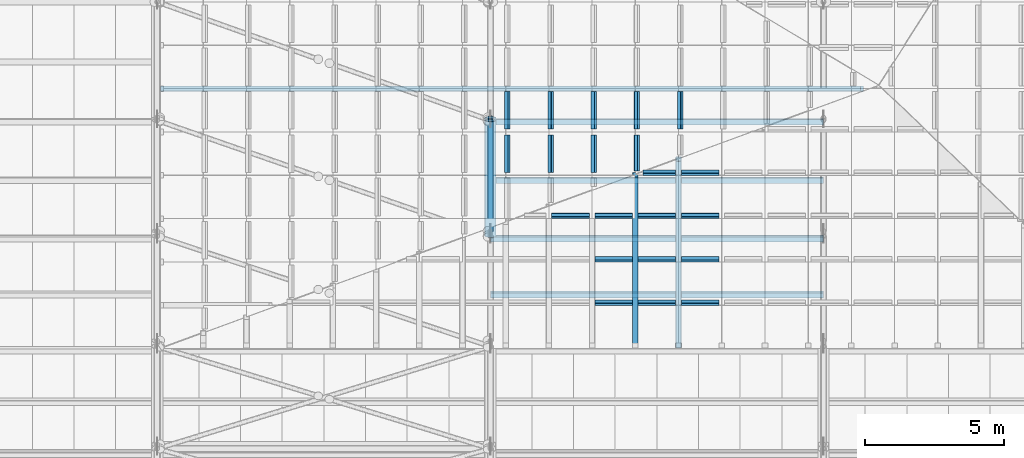
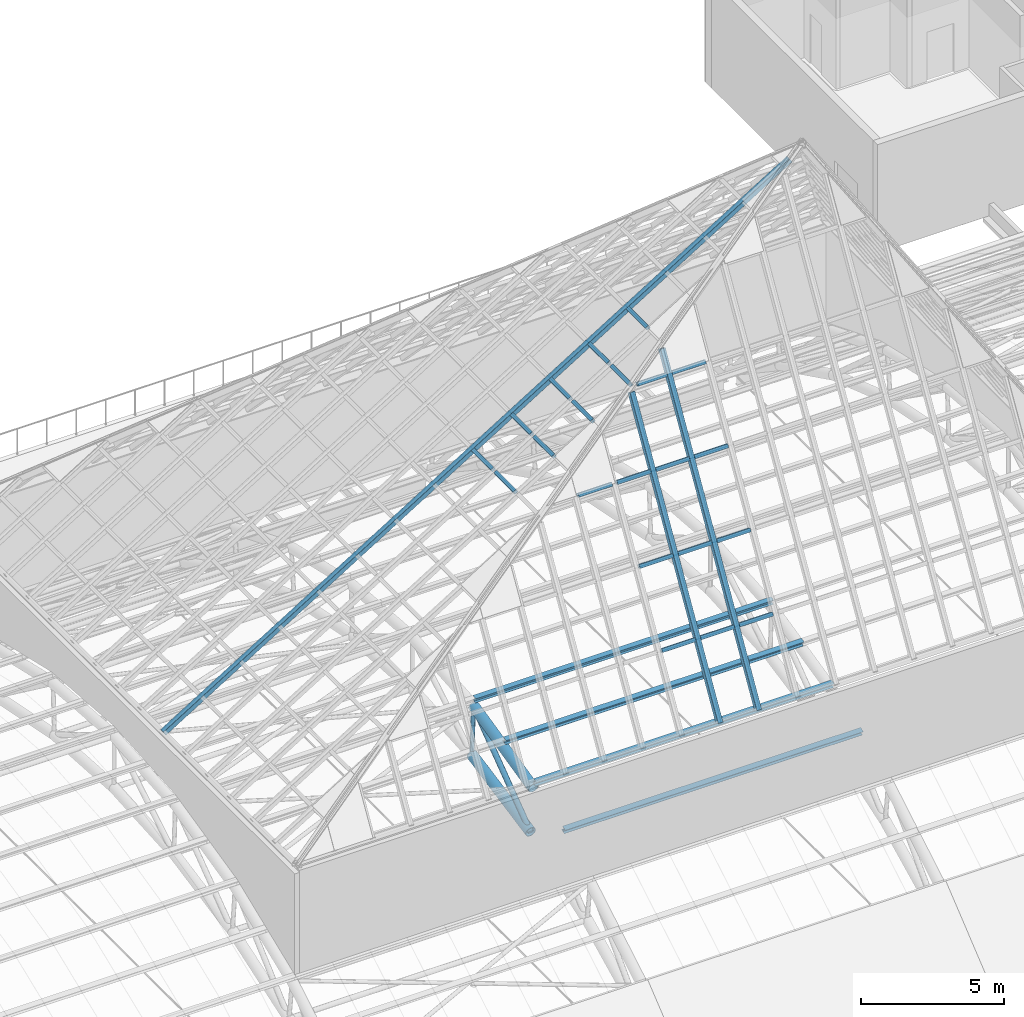
# One storey, part 8 of 110: 32 members.
"""IFC4 building model written with IfcOpenShell, lengths in metres."""

from ifc_helpers import new_model, si_unit, direction, frame, origin, origin_2d, place, context, subcontext, project, spatial, hollow_rectangle, hollow_circle, i_section, extrude, material, material_profile, profile_set, type_object, element, save


model = new_model("IFC4")

# Units and contexts
model_context = context("Model", 3, precision=1e-05, world=origin(), true_north=direction((0.0, 1.0)))
body_context = subcontext(model_context, "Body", "Model", "MODEL_VIEW")
ifc_project = project(units=[si_unit("LENGTHUNIT", "METRE"), si_unit("AREAUNIT", "SQUARE_METRE"), si_unit("VOLUMEUNIT", "CUBIC_METRE"), si_unit("PLANEANGLEUNIT", "RADIAN"), si_unit("MASSUNIT", "GRAM", prefix="KILO")], contexts=[model_context])

# Site, building, storey
site_placement = place(None, origin())
site = spatial("IfcSite", under=ifc_project, at=site_placement, CompositionType="ELEMENT")
building_placement = place(site_placement, origin())
building = spatial("IfcBuilding", under=site, at=building_placement, Name="Windward Yard Aquatics Centre", CompositionType="ELEMENT")
storey_placement = place(building_placement, frame((0.0, 0.0, 22.60009765625)))
storey = spatial("IfcBuildingStorey", under=building, at=storey_placement, Name="L05", CompositionType="ELEMENT", Elevation=22.60009765625)

# Members
ifc_material_1 = material(Name="Steel ASTM A500 Gr C", Category="steel")
ifc_material_profile_1 = material_profile(ifc_material_1, hollow_circle(Radius=0.084228515625, WallThickness=0.010986328125, at=origin_2d()), Name="HSS168.3X11")
ifc_profile_set_1 = profile_set([ifc_material_profile_1], Name="Steel ASTM A500 Gr C")
member_type_1 = type_object("IfcMemberType", Name="H arch post HSS168.3X11", PredefinedType="POST", material=ifc_profile_set_1)
member_1_placement = place(storey_placement, frame((108.0, 56.83935546875, 6.323486328125), z_axis=(0.0, -0.050215263417, 0.998738417865), x_axis=(1.0, 0.0, 0.0)))
element("IfcMember", 1, at=member_1_placement, inside=storey, type_object=member_type_1, Name="H.AT.5.WP05", PredefinedType="POST", context=body_context, shape_type="SweptSolid", body=[
    extrude(hollow_circle(Radius=0.084228515625, WallThickness=0.010986328125, at=origin_2d()), origin(), (0.0, 0.0, 1.0), 2.14892578125),
])
ifc_material_profile_2 = material_profile(ifc_material_1, hollow_circle(Radius=0.203125, WallThickness=0.015869140625, at=origin_2d()), Name="HSS406.4X15.9")
ifc_profile_set_2 = profile_set([ifc_material_profile_2], Name="Steel ASTM A500 Gr C")
member_type_2 = type_object("IfcMemberType", Name="H arch top chord HSS406.4X15.9", PredefinedType="CHORD", material=ifc_profile_set_2)
member_2_placement = place(storey_placement, frame((108.0, 52.5625, 7.496826171875), z_axis=(0.0, 0.973833637334, 0.227262066337), x_axis=(-1.0, 0.0, 0.0)))
element("IfcMember", 2, at=member_2_placement, inside=storey, type_object=member_type_2, Name="H.AT.5.TC04", PredefinedType="CHORD", context=body_context, shape_type="SweptSolid", body=[
    extrude(hollow_circle(Radius=0.203125, WallThickness=0.015869140625, at=origin_2d()), origin(), (0.0, 0.0, 1.0), 4.281005859375),
])
member_3_placement = place(storey_placement, frame((108.0, 52.750244140625, 5.5087890625), z_axis=(0.0, 0.980724544319, 0.195395414914), x_axis=(-1.0, 0.0, 0.0)))
element("IfcMember", 3, at=member_3_placement, inside=storey, type_object=member_type_2, Name="H.AT.5.BC04", PredefinedType="CHORD", context=body_context, shape_type="SweptSolid", body=[
    extrude(hollow_circle(Radius=0.203125, WallThickness=0.015869140625, at=origin_2d()), origin(), (0.0, 0.0, 1.0), 4.16943359375),
])
ifc_material_profile_3 = material_profile(ifc_material_1, hollow_circle(Radius=0.109619140625, WallThickness=0.00830078125, at=origin_2d()), Name="HSS219.1X8.2")
ifc_profile_set_3 = profile_set([ifc_material_profile_3], Name="Steel ASTM A500 Gr C")
member_type_3 = type_object("IfcMemberType", Name="H arch web diagonal HSS219.1X8.2", PredefinedType="BRACE", material=ifc_profile_set_3)
member_4_placement = place(storey_placement, frame((108.0, 52.750244140625, 5.5087890625), z_axis=(0.0, 0.802408568981, 0.596775073563), x_axis=(-1.0, 0.0, 0.0)))
element("IfcMember", 4, at=member_4_placement, inside=storey, type_object=member_type_3, Name="H.AT.5.WD04", PredefinedType="BRACE", context=body_context, shape_type="SweptSolid", body=[
    extrude(hollow_circle(Radius=0.109619140625, WallThickness=0.00830078125, at=origin_2d()), origin(), (0.0, 0.0, 1.0), 4.961669921875),
])
ifc_material_profile_4 = material_profile(ifc_material_1, hollow_rectangle(XDim=0.15234375, YDim=0.15234375, WallThickness=0.009521484375, InnerFilletRadius=0.004638671875, OuterFilletRadius=0.01416015625, at=origin_2d()), Name="HSS152X152X9.5")
ifc_profile_set_4 = profile_set([ifc_material_profile_4], Name="Steel ASTM A500 Gr C")
member_type_4 = type_object("IfcMemberType", Name="H lantern purlin HSS152X152X9.5", PredefinedType="PURLIN", material=ifc_profile_set_4)
member_5_placement = place(storey_placement, frame((116.233154296875, 50.168212890625, 13.46923828125), z_axis=(-1.0, 0.0, 0.0), x_axis=(0.0, -0.51011965155, -0.860103447908)))
element("IfcMember", 5, at=member_5_placement, inside=storey, type_object=member_type_4, Name="H.LN.U.01.01.10", PredefinedType="PURLIN", context=body_context, shape_type="SweptSolid", body=[
    extrude(hollow_rectangle(XDim=0.15234375, YDim=0.15234375, WallThickness=0.009521484375, InnerFilletRadius=0.004638671875, OuterFilletRadius=0.01416015625, at=origin_2d()), origin(), (0.0, 0.0, 1.0), 1.353271484375),
])
member_6_placement = place(storey_placement, frame((114.6767578125, 50.168212890625, 13.46923828125), z_axis=(-1.0, 0.0, 0.0), x_axis=(0.0, -0.51011965155, -0.860103447908)))
element("IfcMember", 6, at=member_6_placement, inside=storey, type_object=member_type_4, Name="H.LN.U.01.01.11", PredefinedType="PURLIN", context=body_context, shape_type="SweptSolid", body=[
    extrude(hollow_rectangle(XDim=0.15234375, YDim=0.15234375, WallThickness=0.009521484375, InnerFilletRadius=0.004638671875, OuterFilletRadius=0.01416015625, at=origin_2d()), origin(), (0.0, 0.0, 1.0), 1.353515625),
])
for number, where, z_axis, x_axis, name in (
    (7, (113.1201171875, 50.168212890625, 13.46923828125), (-1.0, 0.0, 0.0), (0.0, -0.51011965155, -0.860103447908), "H.LN.U.01.01.12"),
    (8, (116.233154296875, 51.7294921875, 16.1015625), (-1.0, 0.0, 0.0), (0.0, -0.51011965155, -0.860103447908), "H.LN.U.01.02.09"),
):
    element("IfcMember", number, at=place(storey_placement, frame(where, z_axis=z_axis, x_axis=x_axis)), inside=storey, type_object=member_type_4, Name=name, PredefinedType="PURLIN", context=body_context, shape_type="SweptSolid", body=[
        extrude(hollow_rectangle(XDim=0.15234375, YDim=0.15234375, WallThickness=0.009521484375, InnerFilletRadius=0.004638671875, OuterFilletRadius=0.01416015625, at=origin_2d()), origin(), (0.0, 0.0, 1.0), 1.353271484375),
    ])
member_7_placement = place(storey_placement, frame((114.6767578125, 51.7294921875, 16.1015625), z_axis=(-1.0, 0.0, 0.0), x_axis=(0.0, -0.51011965155, -0.860103447908)))
element("IfcMember", 9, at=member_7_placement, inside=storey, type_object=member_type_4, Name="H.LN.U.01.02.10", PredefinedType="PURLIN", context=body_context, shape_type="SweptSolid", body=[
    extrude(hollow_rectangle(XDim=0.15234375, YDim=0.15234375, WallThickness=0.009521484375, InnerFilletRadius=0.004638671875, OuterFilletRadius=0.01416015625, at=origin_2d()), origin(), (0.0, 0.0, 1.0), 1.353515625),
])
for number, where, z_axis, x_axis, name in (
    (10, (113.1201171875, 51.7294921875, 16.1015625), (-1.0, 0.0, 0.0), (0.0, -0.51011965155, -0.860103447908), "H.LN.U.01.02.11"),
    (11, (116.233154296875, 53.29052734375, 18.73388671875), (-1.0, 0.0, 0.0), (0.0, -0.51011965155, -0.860103447908), "H.LN.U.01.03.08"),
):
    element("IfcMember", number, at=place(storey_placement, frame(where, z_axis=z_axis, x_axis=x_axis)), inside=storey, type_object=member_type_4, Name=name, PredefinedType="PURLIN", context=body_context, shape_type="SweptSolid", body=[
        extrude(hollow_rectangle(XDim=0.15234375, YDim=0.15234375, WallThickness=0.009521484375, InnerFilletRadius=0.004638671875, OuterFilletRadius=0.01416015625, at=origin_2d()), origin(), (0.0, 0.0, 1.0), 1.353271484375),
    ])
member_8_placement = place(storey_placement, frame((114.6767578125, 53.29052734375, 18.73388671875), z_axis=(-1.0, 0.0, 0.0), x_axis=(0.0, -0.51011965155, -0.860103447908)))
element("IfcMember", 12, at=member_8_placement, inside=storey, type_object=member_type_4, Name="H.LN.U.01.03.09", PredefinedType="PURLIN", context=body_context, shape_type="SweptSolid", body=[
    extrude(hollow_rectangle(XDim=0.15234375, YDim=0.15234375, WallThickness=0.009521484375, InnerFilletRadius=0.004638671875, OuterFilletRadius=0.01416015625, at=origin_2d()), origin(), (0.0, 0.0, 1.0), 1.353515625),
])
member_9_placement = place(storey_placement, frame((113.1201171875, 53.29052734375, 18.73388671875), z_axis=(-1.0, 0.0, 0.0), x_axis=(0.0, -0.51011965155, -0.860103447908)))
element("IfcMember", 13, at=member_9_placement, inside=storey, type_object=member_type_4, Name="H.LN.U.01.03.10", PredefinedType="PURLIN", context=body_context, shape_type="SweptSolid", body=[
    extrude(hollow_rectangle(XDim=0.15234375, YDim=0.15234375, WallThickness=0.009521484375, InnerFilletRadius=0.004638671875, OuterFilletRadius=0.01416015625, at=origin_2d()), origin(), (0.0, 0.0, 1.0), 1.353271484375),
])
member_10_placement = place(storey_placement, frame((111.563720703125, 53.29052734375, 18.73388671875), z_axis=(-1.0, 0.0, 0.0), x_axis=(0.0, -0.51011965155, -0.860103447908)))
element("IfcMember", 14, at=member_10_placement, inside=storey, type_object=member_type_4, Name="H.LN.U.01.03.11", PredefinedType="PURLIN", context=body_context, shape_type="SweptSolid", body=[
    extrude(hollow_rectangle(XDim=0.15234375, YDim=0.15234375, WallThickness=0.009521484375, InnerFilletRadius=0.004638671875, OuterFilletRadius=0.01416015625, at=origin_2d()), origin(), (0.0, 0.0, 1.0), 1.353515625),
])
member_11_placement = place(storey_placement, frame((116.233154296875, 54.851806640625, 21.3662109375), z_axis=(-1.0, 0.0, 0.0), x_axis=(0.0, -0.51011965155, -0.860103447908)))
element("IfcMember", 15, at=member_11_placement, inside=storey, type_object=member_type_4, Name="H.LN.U.01.04.07", PredefinedType="PURLIN", context=body_context, shape_type="SweptSolid", body=[
    extrude(hollow_rectangle(XDim=0.15234375, YDim=0.15234375, WallThickness=0.009521484375, InnerFilletRadius=0.004638671875, OuterFilletRadius=0.01416015625, at=origin_2d()), origin(), (0.0, 0.0, 1.0), 1.353271484375),
])
member_12_placement = place(storey_placement, frame((114.6767578125, 54.851806640625, 21.3662109375), z_axis=(-1.0, 0.0, 0.0), x_axis=(0.0, -0.51011965155, -0.860103447908)))
element("IfcMember", 16, at=member_12_placement, inside=storey, type_object=member_type_4, Name="H.LN.U.01.04.08", PredefinedType="PURLIN", context=body_context, shape_type="SweptSolid", body=[
    extrude(hollow_rectangle(XDim=0.15234375, YDim=0.15234375, WallThickness=0.009521484375, InnerFilletRadius=0.004638671875, OuterFilletRadius=0.01416015625, at=origin_2d()), origin(), (0.0, 0.0, 1.0), 1.17919921875),
])
member_13_placement = place(storey_placement, frame((108.611083984375, 54.85693359375, 18.4912109375), z_axis=(0.0, 1.0, 0.0), x_axis=(-0.850755160219, 0.0, -0.525562229771)))
element("IfcMember", 17, at=member_13_placement, inside=storey, type_object=member_type_4, Name="H.LN.U.04.08.02", PredefinedType="PURLIN", context=body_context, shape_type="SweptSolid", body=[
    extrude(hollow_rectangle(XDim=0.15234375, YDim=0.15234375, WallThickness=0.009521484375, InnerFilletRadius=0.004638671875, OuterFilletRadius=0.01416015625, at=origin_2d()), origin(), (0.0, 0.0, 1.0), 1.35791015625),
])
member_14_placement = place(storey_placement, frame((108.611083984375, 56.418212890625, 18.4912109375), z_axis=(0.0, 1.0, 0.0), x_axis=(-0.850755160219, 0.0, -0.525562229771)))
element("IfcMember", 18, at=member_14_placement, inside=storey, type_object=member_type_4, Name="H.LN.U.04.08.03", PredefinedType="PURLIN", context=body_context, shape_type="SweptSolid", body=[
    extrude(hollow_rectangle(XDim=0.15234375, YDim=0.15234375, WallThickness=0.009521484375, InnerFilletRadius=0.004638671875, OuterFilletRadius=0.01416015625, at=origin_2d()), origin(), (0.0, 0.0, 1.0), 1.357666015625),
])
member_15_placement = place(storey_placement, frame((110.167724609375, 54.85693359375, 19.452880859375), z_axis=(0.0, 1.0, 0.0), x_axis=(-0.850755160219, 0.0, -0.525562229771)))
element("IfcMember", 19, at=member_15_placement, inside=storey, type_object=member_type_4, Name="H.LN.U.04.09.02", PredefinedType="PURLIN", context=body_context, shape_type="SweptSolid", body=[
    extrude(hollow_rectangle(XDim=0.15234375, YDim=0.15234375, WallThickness=0.009521484375, InnerFilletRadius=0.004638671875, OuterFilletRadius=0.01416015625, at=origin_2d()), origin(), (0.0, 0.0, 1.0), 1.35791015625),
])
member_16_placement = place(storey_placement, frame((110.167724609375, 56.418212890625, 19.452880859375), z_axis=(0.0, 1.0, 0.0), x_axis=(-0.850755160219, 0.0, -0.525562229771)))
element("IfcMember", 20, at=member_16_placement, inside=storey, type_object=member_type_4, Name="H.LN.U.04.09.03", PredefinedType="PURLIN", context=body_context, shape_type="SweptSolid", body=[
    extrude(hollow_rectangle(XDim=0.15234375, YDim=0.15234375, WallThickness=0.009521484375, InnerFilletRadius=0.004638671875, OuterFilletRadius=0.01416015625, at=origin_2d()), origin(), (0.0, 0.0, 1.0), 1.357666015625),
])
member_17_placement = place(storey_placement, frame((111.72412109375, 54.85693359375, 20.414306640625), z_axis=(0.0, 1.0, 0.0), x_axis=(-0.850755160219, 0.0, -0.525562229771)))
element("IfcMember", 21, at=member_17_placement, inside=storey, type_object=member_type_4, Name="H.LN.U.04.10.02", PredefinedType="PURLIN", context=body_context, shape_type="SweptSolid", body=[
    extrude(hollow_rectangle(XDim=0.15234375, YDim=0.15234375, WallThickness=0.009521484375, InnerFilletRadius=0.004638671875, OuterFilletRadius=0.01416015625, at=origin_2d()), origin(), (0.0, 0.0, 1.0), 1.35791015625),
])
member_18_placement = place(storey_placement, frame((111.72412109375, 56.418212890625, 20.414306640625), z_axis=(0.0, 1.0, 0.0), x_axis=(-0.850755160219, 0.0, -0.525562229771)))
element("IfcMember", 22, at=member_18_placement, inside=storey, type_object=member_type_4, Name="H.LN.U.04.10.03", PredefinedType="PURLIN", context=body_context, shape_type="SweptSolid", body=[
    extrude(hollow_rectangle(XDim=0.15234375, YDim=0.15234375, WallThickness=0.009521484375, InnerFilletRadius=0.004638671875, OuterFilletRadius=0.01416015625, at=origin_2d()), origin(), (0.0, 0.0, 1.0), 1.357666015625),
])
member_19_placement = place(storey_placement, frame((113.28076171875, 54.913330078125, 21.3759765625), z_axis=(0.0, 1.0, 0.0), x_axis=(-0.850755160219, 0.0, -0.525562229771)))
element("IfcMember", 23, at=member_19_placement, inside=storey, type_object=member_type_4, Name="H.LN.U.04.11.01", PredefinedType="PURLIN", context=body_context, shape_type="SweptSolid", body=[
    extrude(hollow_rectangle(XDim=0.15234375, YDim=0.15234375, WallThickness=0.009521484375, InnerFilletRadius=0.004638671875, OuterFilletRadius=0.01416015625, at=origin_2d()), origin(), (0.0, 0.0, 1.0), 1.301513671875),
])
for number, where, z_axis, x_axis, name in (
    (24, (113.28076171875, 56.418212890625, 21.3759765625), (0.0, 1.0, 0.0), (-0.850755160219, 0.0, -0.525562229771), "H.LN.U.04.11.02"),
    (25, (114.837158203125, 56.418212890625, 22.33740234375), (0.0, 1.0, 0.0), (-0.850755160219, 0.0, -0.525562229771), "H.LN.U.04.12.02"),
):
    element("IfcMember", number, at=place(storey_placement, frame(where, z_axis=z_axis, x_axis=x_axis)), inside=storey, type_object=member_type_4, Name=name, PredefinedType="PURLIN", context=body_context, shape_type="SweptSolid", body=[
        extrude(hollow_rectangle(XDim=0.15234375, YDim=0.15234375, WallThickness=0.009521484375, InnerFilletRadius=0.004638671875, OuterFilletRadius=0.01416015625, at=origin_2d()), origin(), (0.0, 0.0, 1.0), 1.357666015625),
    ])
ifc_material_profile_5 = material_profile(ifc_material_1, hollow_rectangle(XDim=0.203125, YDim=0.203125, WallThickness=0.009521484375, InnerFilletRadius=0.004638671875, OuterFilletRadius=0.01416015625, at=origin_2d()), Name="HSS203X203X9.5")
ifc_profile_set_5 = profile_set([ifc_material_profile_5], Name="Steel ASTM A500 Gr C")
member_type_5 = type_object("IfcMemberType", Name="H lantern rafter HSS203X203X9.5", PredefinedType="RAFTER", material=ifc_profile_set_5)
member_20_placement = place(storey_placement, frame((114.7783203125, 48.62890625, 10.823974609375), z_axis=(0.0, 0.510127260472, 0.860098935078), x_axis=(-1.0, 0.0, 0.0)))
element("IfcMember", 26, at=member_20_placement, inside=storey, type_object=member_type_5, Name="H.LN.R.01.11", PredefinedType="RAFTER", context=body_context, shape_type="SweptSolid", body=[
    extrude(hollow_rectangle(XDim=0.203125, YDim=0.203125, WallThickness=0.009521484375, InnerFilletRadius=0.004638671875, OuterFilletRadius=0.01416015625, at=origin_2d()), origin(), (0.0, 0.0, 1.0), 13.16162109375),
])
member_21_placement = place(storey_placement, frame((113.2216796875, 48.62890625, 10.823974609375), z_axis=(0.0, 0.510121856256, 0.860102140312), x_axis=(-1.0, 0.0, 0.0)))
element("IfcMember", 27, at=member_21_placement, inside=storey, type_object=member_type_5, Name="H.LN.R.01.12", PredefinedType="RAFTER", context=body_context, shape_type="SweptSolid", body=[
    extrude(hollow_rectangle(XDim=0.203125, YDim=0.203125, WallThickness=0.009521484375, InnerFilletRadius=0.004638671875, OuterFilletRadius=0.01416015625, at=origin_2d()), origin(), (0.0, 0.0, 1.0), 12.043701171875),
])
member_22_placement = place(storey_placement, frame((96.17236328125, 57.877685546875, 10.777099609375), z_axis=(0.850753904948, 0.0, 0.525564261738), x_axis=(0.0, 1.0, 0.0)))
element("IfcMember", 28, at=member_22_placement, inside=storey, type_object=member_type_5, Name="H.LN.R.04.06", PredefinedType="RAFTER", context=body_context, shape_type="SweptSolid", body=[
    extrude(hollow_rectangle(XDim=0.203125, YDim=0.203125, WallThickness=0.009521484375, InnerFilletRadius=0.004638671875, OuterFilletRadius=0.01416015625, at=origin_2d()), origin(), (0.0, 0.0, 1.0), 29.6357421875),
])
ifc_material_2 = material(Name="Steel ASTM A992 Gr 50", Category="steel")
ifc_material_profile_6 = material_profile(ifc_material_2, i_section(OverallWidth=0.202880859375, OverallDepth=0.202880859375, WebThickness=0.00732421875, FlangeThickness=0.010986328125, at=origin_2d()), Name="W200X46.1")
ifc_profile_set_6 = profile_set([ifc_material_profile_6], Name="Steel ASTM A992 Gr 50")
member_type_6 = type_object("IfcMemberType", Name="H roof purlin W200X46.1", PredefinedType="PURLIN", material=ifc_profile_set_6)
for number, where, z_axis, x_axis, name in (
    (29, (108.0, 50.462890625, 6.9814453125), (1.0, 0.0, 0.0), (0.0, 0.927868526784, 0.372907491214), "H.PU.5.06"),
    (30, (108.0, 52.470947265625, 7.787353515625), (1.0, 0.0, 0.0), (0.0, 0.953632764452, 0.300972674115), "H.PU.5.07"),
    (31, (108.0, 54.577880859375, 8.280029296875), (1.0, 0.0, 0.0), (0.0, 0.973829299376, 0.227280653986), "H.PU.5.08"),
    (32, (108.0, 56.68505859375, 8.77099609375), (1.0, 0.0, 0.0), (0.0, 0.988340215831, 0.152261675321), "H.PU.5.09"),
):
    element("IfcMember", number, at=place(storey_placement, frame(where, z_axis=z_axis, x_axis=x_axis)), inside=storey, type_object=member_type_6, Name=name, PredefinedType="PURLIN", context=body_context, shape_type="SweptSolid", body=[
        extrude(i_section(OverallWidth=0.202880859375, OverallDepth=0.202880859375, WebThickness=0.00732421875, FlangeThickness=0.010986328125, at=origin_2d()), origin(), (0.0, 0.0, 1.0), 12.0),
    ])

save(model, "model.ifc")
